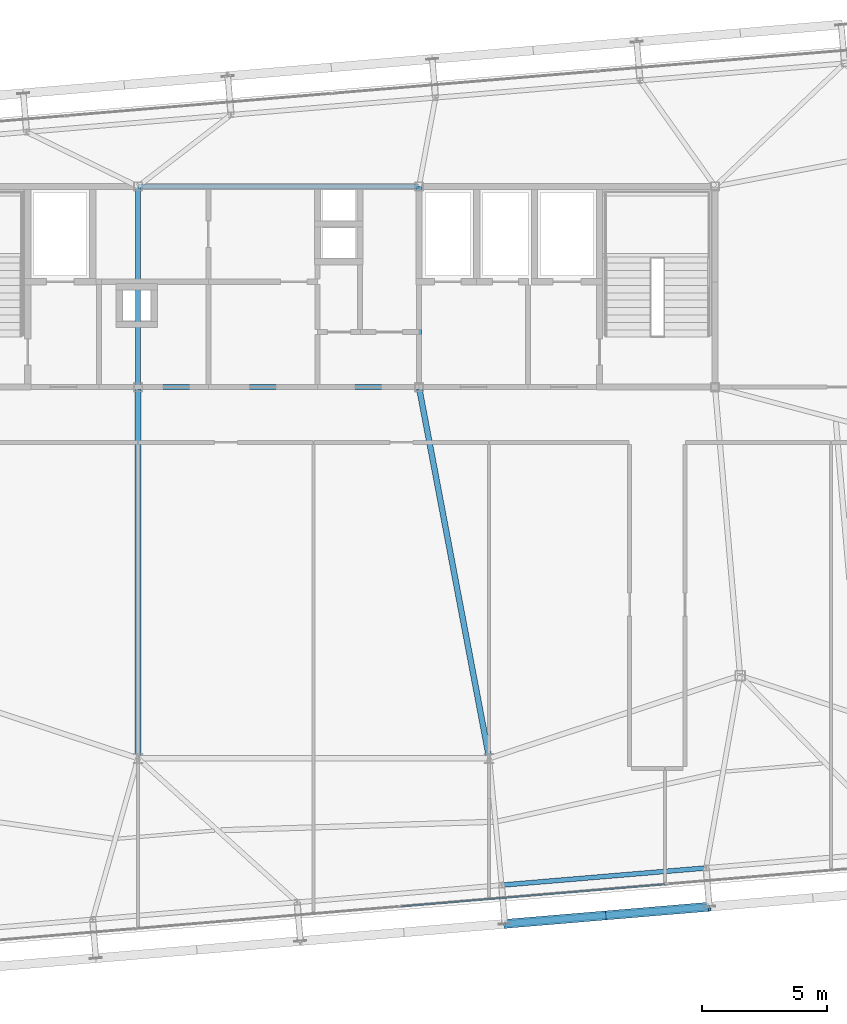
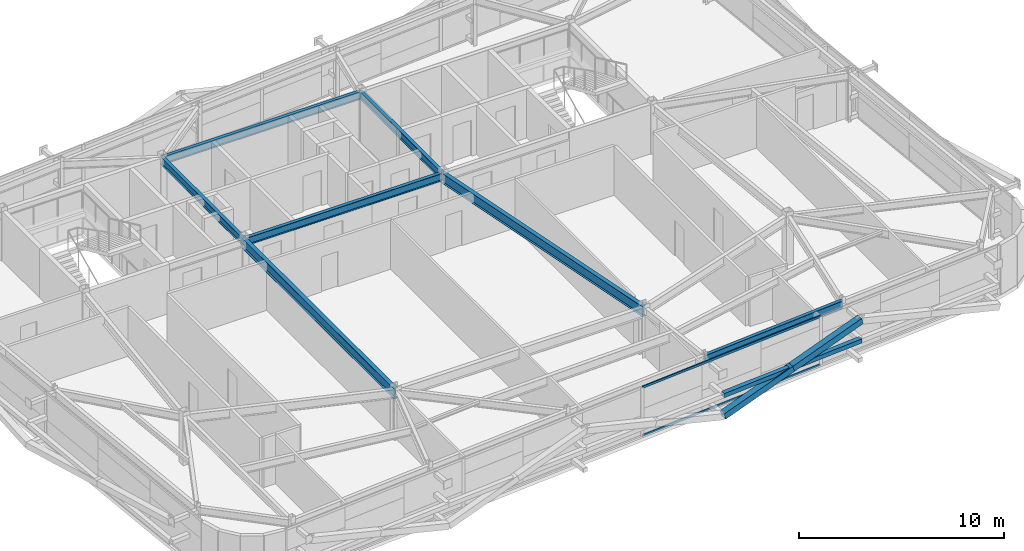
# One storey, part 15 of 37: 7 beams, 5 members, 1 element without a shape of its own.
"""IFC4 building model written with IfcOpenShell, lengths in metres."""

import ifcopenshell
import ifcopenshell.guid

model = None  # the IFC model being written
_history = None  # IfcOwnerHistory: only IFC2X3 demands one
_inside = {}  # id of a spatial element -> (the spatial element, [elements in it])
_under = {}  # id of a project, library or spatial element -> (it, [spatial elements below it])
_declared = {}  # id of a project -> (the project, [libraries it declares])
_typed = {}  # id of a type object -> (the type object, [elements of that type])
_made_of = {}  # id of a material, layer set ... -> (it, [elements and type objects made of it])


def new_model(schema):
    """Start an empty IFC model of exactly this schema.

    Asked for "IFC4X3", IfcOpenShell would pick the latest addendum, in which some entities
    have other attributes; the version numbers below select the first issue.
    IFC2X3 requires an IfcOwnerHistory on every rooted entity: one is made here for all.
    """
    global model, _history
    if schema == "IFC4X3":
        model = ifcopenshell.file(schema_version=(4, 3, 0, 0))
    else:
        model = ifcopenshell.file(schema=schema)
    _inside.clear()
    _under.clear()
    _declared.clear()
    _typed.clear()
    _made_of.clear()
    _history = None
    if model.schema == "IFC2X3":
        org = make("IfcOrganization", Name="unknown")
        user = make(
            "IfcPersonAndOrganization",
            ThePerson=make("IfcPerson", FamilyName="unknown"),
            TheOrganization=org,
        )
        app = make(
            "IfcApplication",
            ApplicationDeveloper=org,
            Version="unknown",
            ApplicationFullName="unknown",
            ApplicationIdentifier="unknown",
        )
        _history = make(
            "IfcOwnerHistory",
            OwningUser=user,
            OwningApplication=app,
            ChangeAction="ADDED",
            CreationDate=0,
        )
    return model


def make(cls, **values):
    """One entity of the class cls with the attributes given. An attribute that is None is left unset."""
    return model.create_entity(
        cls, **{name: value for name, value in values.items() if value is not None}
    )


def rooted(cls, **values):
    """An entity with a GlobalId (a new one), such as an element, a storey or a relation."""
    return make(cls, GlobalId=ifcopenshell.guid.new(), OwnerHistory=_history, **values)


def si_unit(unit_type, name, prefix=None):
    """IfcSIUnit, for example si_unit("LENGTHUNIT", "METRE", prefix="MILLI")."""
    return make("IfcSIUnit", UnitType=unit_type, Prefix=prefix, Name=name)


def assignment(units):
    """IfcUnitAssignment: the units of a project."""
    return None if units is None else make("IfcUnitAssignment", Units=units)


def point(xyz):
    """IfcCartesianPoint."""
    return None if xyz is None else make("IfcCartesianPoint", Coordinates=xyz)


def direction(xyz):
    """IfcDirection."""
    return None if xyz is None else make("IfcDirection", DirectionRatios=xyz)


def frame(location, z_axis=None, x_axis=None):
    """IfcAxis2Placement3D, a coordinate frame: its origin and axes. An axis left out is left unset."""
    return make(
        "IfcAxis2Placement3D",
        Location=point(location),
        Axis=direction(z_axis),
        RefDirection=direction(x_axis),
    )


def frame_2d(location, x_axis=None):
    """IfcAxis2Placement2D, a coordinate frame in the plane: its origin and x axis."""
    return make(
        "IfcAxis2Placement2D", Location=point(location), RefDirection=direction(x_axis)
    )


def origin():
    """The frame at (0, 0, 0) with its axes left unset."""
    return frame((0.0, 0.0, 0.0))


def origin_2d():
    """The frame at (0, 0) in the plane with its x axis left unset."""
    return frame_2d((0.0, 0.0))


def place(relative_to, where):
    """IfcLocalPlacement: puts the frame where relative to a parent placement (None: the world)."""
    return make(
        "IfcLocalPlacement", PlacementRelTo=relative_to, RelativePlacement=where
    )


def context(
    kind, dimensions, precision=None, world=None, true_north=None, identifier=None
):
    """IfcGeometricRepresentationContext, for example the 3D "Model" context."""
    return make(
        "IfcGeometricRepresentationContext",
        ContextIdentifier=identifier,
        ContextType=kind,
        CoordinateSpaceDimension=dimensions,
        Precision=precision,
        WorldCoordinateSystem=world,
        TrueNorth=true_north,
    )


def subcontext(parent, identifier, kind, view, scale=None):
    """IfcGeometricRepresentationSubContext, for example "Body" below "Model"."""
    return make(
        "IfcGeometricRepresentationSubContext",
        ContextIdentifier=identifier,
        ContextType=kind,
        ParentContext=parent,
        TargetScale=scale,
        TargetView=view,
    )


def project(units=None, contexts=None):
    """IfcProject with its units and contexts."""
    return rooted(
        "IfcProject",
        Name="project",
        RepresentationContexts=contexts,
        UnitsInContext=assignment(units),
    )


def spatial(cls, under=None, at=None, **own):
    """A site, building, storey or space (cls), placed at a placement, below another one or the project."""
    s = rooted(cls, ObjectPlacement=at, **own)
    if under is not None:
        _under.setdefault(under.id(), (under, []))[1].append(s)
    return s


def profile(cls, at=None, kind="AREA", **sizes):
    """A parametric profile (cls). Its sizes go by their IFC names, for example OverallWidth=200.0."""
    return make(cls, ProfileType=kind, Position=at, **sizes)


def hollow_rectangle(**sizes):
    """IfcRectangleHollowProfileDef."""
    return profile("IfcRectangleHollowProfileDef", **sizes)


def i_section(**sizes):
    """IfcIShapeProfileDef."""
    return profile("IfcIShapeProfileDef", **sizes)


def extrude(swept, where, along, depth):
    """IfcExtrudedAreaSolid: the profile swept, set in the frame where, extruded along a direction by depth."""
    return make(
        "IfcExtrudedAreaSolid",
        SweptArea=swept,
        Position=where,
        ExtrudedDirection=direction(along),
        Depth=depth,
    )


def shape(context_of_items, identifier, shape_type, items):
    """IfcShapeRepresentation: the items that make up one representation, for example the "Body"."""
    return make(
        "IfcShapeRepresentation",
        ContextOfItems=context_of_items,
        RepresentationIdentifier=identifier,
        RepresentationType=shape_type,
        Items=items,
    )


def source(mapping_origin, context_of_items, identifier, shape_type, items):
    """IfcRepresentationMap: a shape defined once, which mapped items show again and again."""
    return make(
        "IfcRepresentationMap",
        MappingOrigin=mapping_origin,
        MappedRepresentation=shape(context_of_items, identifier, shape_type, items),
    )


def transform(
    local_origin,
    x_axis=None,
    y_axis=None,
    z_axis=None,
    scale=None,
    scale2=None,
    scale3=None,
    uniform=True,
):
    """IfcCartesianTransformationOperator3D, or its non-uniform kind. x_axis, y_axis, z_axis: its Axis1, 2, 3."""
    if uniform:
        return make(
            "IfcCartesianTransformationOperator3D",
            Axis1=direction(x_axis),
            Axis2=direction(y_axis),
            LocalOrigin=point(local_origin),
            Scale=scale,
            Axis3=direction(z_axis),
        )
    return make(
        "IfcCartesianTransformationOperator3DnonUniform",
        Axis1=direction(x_axis),
        Axis2=direction(y_axis),
        LocalOrigin=point(local_origin),
        Scale=scale,
        Axis3=direction(z_axis),
        Scale2=scale2,
        Scale3=scale3,
    )


def mapped(mapping_source, mapping_target):
    """IfcMappedItem: shows the shape of a source again, moved by a transform."""
    return make(
        "IfcMappedItem", MappingSource=mapping_source, MappingTarget=mapping_target
    )


def material(Name=None, Category=None):
    """IfcMaterial."""
    return make("IfcMaterial", Name=Name, Category=Category)


def layer(
    of_material, thickness, ventilated=None, Name=None, Category=None, Priority=None
):
    """IfcMaterialLayer: one layer of a wall or slab, of a material (None: an air gap)."""
    return make(
        "IfcMaterialLayer",
        Material=of_material,
        LayerThickness=thickness,
        IsVentilated=ventilated,
        Name=Name,
        Category=Category,
        Priority=Priority,
    )


def layer_set(layers, Name=None):
    """IfcMaterialLayerSet."""
    return make("IfcMaterialLayerSet", MaterialLayers=layers, LayerSetName=Name)


def material_profile(
    of_material, cross_section, Name=None, Category=None, Priority=None
):
    """IfcMaterialProfile: a cross section and its material."""
    return make(
        "IfcMaterialProfile",
        Name=Name,
        Material=of_material,
        Profile=cross_section,
        Priority=Priority,
        Category=Category,
    )


def profile_set(profiles, Name=None, composite=None):
    """IfcMaterialProfileSet."""
    return make(
        "IfcMaterialProfileSet",
        Name=Name,
        MaterialProfiles=profiles,
        CompositeProfile=composite,
    )


def made_of(thing, what):
    """Note that an element or type object is made of a material, layer set ...; save() writes the relation."""
    if what is not None:
        _made_of.setdefault(what.id(), (what, []))[1].append(thing)
    return thing


def type_object(cls, material=None, **own):
    """A type object (cls), such as IfcWallType, which elements share."""
    return made_of(rooted(cls, **own), material)


def element(
    cls,
    number,
    at=None,
    inside=None,
    cuts=None,
    type_object=None,
    material=None,
    context=None,
    identifier="Body",
    shape_type=None,
    held_by="IfcProductDefinitionShape",
    body=None,
    shapes=None,
    **own,
):
    """One element of the class cls, such as IfcWall. Its Tag is "e" and its number.

    at: its placement. inside: the storey or other place that contains it. cuts: it is an
    opening in that element (IfcRelVoidsElement). A single representation is given by context,
    identifier, shape_type and body (its items); several are given by shapes. held_by: the class
    of the entity that holds the representations. save() writes the other relations.
    """
    e = rooted(cls, Tag="e%d" % number, ObjectPlacement=at, **own)
    if body is not None:
        shapes = [shape(context, identifier, shape_type, body)]
    if shapes is not None:
        e.Representation = make(held_by, Representations=shapes)
    if inside is not None:
        _inside.setdefault(inside.id(), (inside, []))[1].append(e)
    if cuts is not None:
        rooted(
            "IfcRelVoidsElement", RelatingBuildingElement=cuts, RelatedOpeningElement=e
        )
    if type_object is not None:
        _typed.setdefault(type_object.id(), (type_object, []))[1].append(e)
    return made_of(e, material)


def aggregate(whole, parts):
    """IfcRelAggregates: a whole, such as a stair, and the parts it consists of."""
    return rooted("IfcRelAggregates", RelatingObject=whole, RelatedObjects=parts)


def save(model, path):
    """Write the relations noted so far, then the file.

    IfcRelAggregates (storeys below a building ...), IfcRelContainedInSpatialStructure (elements
    in a storey), IfcRelDefinesByType, IfcRelAssociatesMaterial and IfcRelDeclares: one each for
    every whole, place, type object, material and project.
    """
    for whole, parts in _under.values():
        aggregate(whole, parts)
    for where, things in _inside.values():
        rooted(
            "IfcRelContainedInSpatialStructure",
            RelatedElements=things,
            RelatingStructure=where,
        )
    for kind, things in _typed.values():
        rooted("IfcRelDefinesByType", RelatedObjects=things, RelatingType=kind)
    for what, things in _made_of.values():
        rooted("IfcRelAssociatesMaterial", RelatedObjects=things, RelatingMaterial=what)
    for by, libraries in _declared.values():
        rooted("IfcRelDeclares", RelatingContext=by, RelatedDefinitions=libraries)
    model.write(path)


model = new_model("IFC4")

# Units and contexts
model_context = context("Model", 3, precision=1e-05, world=origin(), true_north=direction((0.0, 1.0)))
body_context = subcontext(model_context, "Body", "Model", "MODEL_VIEW")
ifc_project = project(units=[si_unit("LENGTHUNIT", "METRE"), si_unit("AREAUNIT", "SQUARE_METRE"), si_unit("VOLUMEUNIT", "CUBIC_METRE"), si_unit("PLANEANGLEUNIT", "RADIAN"), si_unit("MASSUNIT", "GRAM", prefix="KILO")], contexts=[model_context])

# Site, building, storey
site_placement = place(None, origin())
site = spatial("IfcSite", under=ifc_project, at=site_placement, CompositionType="ELEMENT")
building_placement = place(site_placement, origin())
building = spatial("IfcBuilding", under=site, at=building_placement, Name="Taldren Reach Tower", CompositionType="ELEMENT")
storey_placement = place(building_placement, frame((0.0, 0.0, 182.0)))
storey = spatial("IfcBuildingStorey", under=building, at=storey_placement, Name="L55", CompositionType="ELEMENT", Elevation=182.0)

# Beams
ifc_material_1 = material(Name="Steel Gr 350 (350PLUS)", Category="steel")
ifc_material_profile_1 = material_profile(ifc_material_1, i_section(OverallWidth=0.19091796875, OverallDepth=0.4599609375, WebThickness=0.010009765625, FlangeThickness=0.01611328125, at=origin_2d()), Name="460UB82.1")
ifc_profile_set_1 = profile_set([ifc_material_profile_1], Name="Steel Gr 350 (350PLUS)")
beam_type_1 = type_object("IfcBeamType", Name="BM-UB460A", PredefinedType="BEAM", material=ifc_profile_set_1)
shared_shape_1 = source(origin(), body_context, "Body", "SweptSolid", [
    extrude(i_section(OverallWidth=0.19091796875, OverallDepth=0.4599609375, WebThickness=0.010009765625, FlangeThickness=0.01611328125, at=origin_2d()), origin(), (0.0, 0.0, 1.0), 11.199951171875),
])
for number, where, z_axis, x_axis, name in (
    (1, (28.0, 24.0, 2.699951171875), (1.0, 0.0, 0.0), (0.0, 1.0, 0.0), "Core-spine girder L55-SP02"),
    (2, (28.0, 32.0, 2.699951171875), (1.0, 0.0, 0.0), (0.0, 1.0, 0.0), "Core-spine girder L55-SP05"),
):
    element("IfcBeam", number, at=place(storey_placement, frame(where, z_axis=z_axis, x_axis=x_axis)), inside=storey, type_object=beam_type_1, Name=name, PredefinedType="BEAM", context=body_context, shape_type="MappedRepresentation", body=[
        mapped(shared_shape_1, transform((0.0, 0.0, 0.0), scale=1.0)),
    ])
shared_shape_2 = source(origin(), body_context, "Body", "SweptSolid", [
    extrude(i_section(OverallWidth=0.19091796875, OverallDepth=0.4599609375, WebThickness=0.010009765625, FlangeThickness=0.01611328125, at=origin_2d()), origin(), (0.0, 0.0, 1.0), 8.0),
])
for number, where, z_axis, x_axis, name in (
    (3, (28.0, 24.0, 2.699951171875), (0.0, 1.0, 0.0), (-1.0, 0.0, 0.0), "Core-spine girder L55-SP07"),
    (4, (39.199951171875, 24.0, 2.699951171875), (0.0, 1.0, 0.0), (-1.0, 0.0, 0.0), "Core-spine girder L55-SP08"),
):
    element("IfcBeam", number, at=place(storey_placement, frame(where, z_axis=z_axis, x_axis=x_axis)), inside=storey, type_object=beam_type_1, Name=name, PredefinedType="BEAM", context=body_context, shape_type="MappedRepresentation", body=[
        mapped(shared_shape_2, transform((0.0, 0.0, 0.0), scale=1.0)),
    ])
ifc_material_profile_2 = material_profile(ifc_material_1, i_section(OverallWidth=0.22802734375, OverallDepth=0.60205078125, WebThickness=0.010498046875, FlangeThickness=0.014892578125, at=origin_2d()), Name="610UB101")
ifc_profile_set_2 = profile_set([ifc_material_profile_2], Name="Steel Gr 350 (350PLUS)")
beam_type_2 = type_object("IfcBeamType", Name="BM-UB610B", PredefinedType="BEAM", material=ifc_profile_set_2)
shared_shape_3 = source(origin(), body_context, "Body", "SweptSolid", [
    extrude(i_section(OverallWidth=0.22802734375, OverallDepth=0.60205078125, WebThickness=0.010498046875, FlangeThickness=0.014892578125, at=origin_2d()), origin(), (0.0, 0.0, 1.0), 14.800048828125),
])
beam_1_placement = place(storey_placement, frame((28.0, 24.0, 2.62890625), z_axis=(0.0, -1.0, 0.0), x_axis=(1.0, 0.0, 0.0)))
element("IfcBeam", 5, at=beam_1_placement, inside=storey, type_object=beam_type_2, Name="Core-spine girder L55-SP14", PredefinedType="BEAM", context=body_context, shape_type="MappedRepresentation", body=[
    mapped(shared_shape_3, transform((0.0, 0.0, 0.0), scale=1.0)),
])
shared_shape_4 = source(origin(), body_context, "Body", "SweptSolid", [
    extrude(i_section(OverallWidth=0.22802734375, OverallDepth=0.60205078125, WebThickness=0.010498046875, FlangeThickness=0.014892578125, at=origin_2d()), origin(), (0.0, 0.0, 1.0), 15.0625),
])
beam_2_placement = place(storey_placement, frame((39.199951171875, 24.0, 2.62890625), z_axis=(0.185894205668, -0.982569765614, 0.0), x_axis=(0.982569765614, 0.185894205668, 0.0)))
element("IfcBeam", 6, at=beam_2_placement, inside=storey, type_object=beam_type_2, Name="Core-spine girder L55-SP15", PredefinedType="BEAM", context=body_context, shape_type="MappedRepresentation", body=[
    mapped(shared_shape_4, transform((0.0, 0.0, 0.0), scale=1.0)),
])
ifc_material_profile_3 = material_profile(ifc_material_1, i_section(OverallWidth=0.18994140625, OverallDepth=0.4541015625, WebThickness=0.008544921875, FlangeThickness=0.0126953125, at=origin_2d()), Name="460UB67.1")
ifc_profile_set_3 = profile_set([ifc_material_profile_3], Name="Steel Gr 350 (350PLUS)")
beam_type_3 = type_object("IfcBeamType", Name="SP-UB460B", PredefinedType="SPANDREL", material=ifc_profile_set_3)
shared_shape_5 = source(origin(), body_context, "Body", "SweptSolid", [
    extrude(i_section(OverallWidth=0.18994140625, OverallDepth=0.4541015625, WebThickness=0.008544921875, FlangeThickness=0.0126953125, at=origin_2d()), origin(), (0.0, 0.0, 1.0), 8.179931640625),
])
beam_3_placement = place(storey_placement, frame((42.49365234375, 4.1474609375, 2.702880859375), z_axis=(0.99649182565, 0.08369015123, 0.0), x_axis=(-0.08369015123, 0.99649182565, 0.0)))
element("IfcBeam", 7, at=beam_3_placement, inside=storey, type_object=beam_type_3, Name="Perimeter spandrel B4 S4-S5 L55", PredefinedType="SPANDREL", context=body_context, shape_type="MappedRepresentation", body=[
    mapped(shared_shape_5, transform((0.0, 0.0, 0.0), scale=1.0)),
])

# Members
ifc_material_2 = material(Name="Steel Gr 350 (C350L0)", Category="steel")
ifc_material_profile_4 = material_profile(ifc_material_2, hollow_rectangle(XDim=0.25, YDim=0.25, WallThickness=0.010009765625, at=origin_2d()), Name="250x250x10.0SHS")
ifc_profile_set_4 = profile_set([ifc_material_profile_4], Name="Steel Gr 350 (C350L0)")
member_type_1 = type_object("IfcMemberType", Name="MB-POST250", PredefinedType="POST", material=ifc_profile_set_4)
shared_shape_6 = source(origin(), body_context, "Body", "SweptSolid", [
    extrude(hollow_rectangle(XDim=0.25, YDim=0.25, WallThickness=0.010009765625, at=origin_2d()), origin(), (0.0, 0.0, 1.0), 8.179931640625),
])
member_1_placement = place(storey_placement, frame((42.623291015625, 2.60302734375, 1.43505859375), z_axis=(0.996494523218, 0.083658025296, 0.0), x_axis=(-0.083658025296, 0.996494523218, 0.0)))
element("IfcMember", 8, at=member_1_placement, inside=storey, type_object=member_type_1, Name="Exoskeleton mid-height ring chord B4-S4 L55", PredefinedType="POST", context=body_context, shape_type="MappedRepresentation", body=[
    mapped(shared_shape_6, transform((0.0, 0.0, 0.0), scale=1.0)),
])
ifc_material_3 = material(Name="Steel Gr 450 (C450L0)", Category="steel")
ifc_material_profile_5 = material_profile(ifc_material_3, hollow_rectangle(XDim=0.360107421875, YDim=0.360107421875, WallThickness=0.0126953125, at=origin_2d()), Name="360x360x12.7SHS")
ifc_profile_set_5 = profile_set([ifc_material_profile_5], Name="Steel Gr 450 (C450L0)")
member_type_2 = type_object("IfcMemberType", Name="MB-EXO356", PredefinedType="BRACE", material=ifc_profile_set_5)
shared_shape_7 = source(origin(), body_context, "Body", "SweptSolid", [
    extrude(hollow_rectangle(XDim=0.360107421875, YDim=0.360107421875, WallThickness=0.0126953125, at=origin_2d()), origin(), (0.0, 0.0, 1.0), 4.2666015625),
])
for number, where, z_axis, x_axis, name in (
    (9, (42.623291015625, 2.60302734375, 0.219970703125), (0.955233542365, 0.080165460216, 0.28478479336), (-0.083628388178, 0.996497010879, 0.0), "Exoskeleton Diagrid Brace B4-S4 L55"),
    (10, (46.698974609375, 2.945068359375, 1.43505859375), (0.955244723646, 0.080223619417, 0.284730906006), (-0.083687662192, 0.996492034688, 0.0), "Exoskeleton Diagrid Brace B4-S4 L55"),
):
    element("IfcMember", number, at=place(storey_placement, frame(where, z_axis=z_axis, x_axis=x_axis)), inside=storey, type_object=member_type_2, Name=name, PredefinedType="BRACE", context=body_context, shape_type="MappedRepresentation", body=[
        mapped(shared_shape_7, transform((0.0, 0.0, 0.0), scale=1.0)),
    ])

# Curtain wall, members
ifc_material_4 = material(Name="Aluminium and Low-E Glass Unitised System", Category="aluminium")
ifc_layer = layer(ifc_material_4, 0.159912109375)
ifc_layer_set = layer_set([ifc_layer], Name="Aluminium and Low-E Glass Unitised System")
curtain_wall_type = type_object("IfcCurtainWallType", Name="CW-SYS-5", PredefinedType="NOTDEFINED", material=ifc_layer_set)
curtain_wall_placement = place(storey_placement, origin())
curtain_wall = element("IfcCurtainWall", 11, at=curtain_wall_placement, inside=storey, type_object=curtain_wall_type, Name="Unitised curtain wall CW-L55-S", PredefinedType="NOTDEFINED")
ifc_material_5 = material(Name="Anodised Aluminium 6063-T6", Category="aluminium")
ifc_material_profile_6 = material_profile(ifc_material_5, hollow_rectangle(XDim=0.06005859375, YDim=0.135009765625, WallThickness=0.00341796875, at=origin_2d()), Name="ALU-135x60x3.5RHS")
ifc_profile_set_6 = profile_set([ifc_material_profile_6], Name="Anodised Aluminium 6063-T6")
member_type_3 = type_object("IfcMemberType", Name="CW-TRN-150", PredefinedType="USERDEFINED", material=ifc_profile_set_6)
shared_shape_8 = source(origin(), body_context, "Body", "SweptSolid", [
    extrude(hollow_rectangle(XDim=0.06005859375, YDim=0.135009765625, WallThickness=0.00341796875, at=origin_2d()), origin(), (0.0, 0.0, 1.0), 10.55517578125),
])
member_2_placement = place(storey_placement, frame((38.495361328125, 3.300048828125, 0.030029296875), z_axis=(0.996494202684, 0.083661843255, 0.0), x_axis=(-0.083661843255, 0.996494202684, 0.0)))
member_2 = element("IfcMember", 12, at=member_2_placement, type_object=member_type_3, Name="CW-5 transom 3.1", ObjectType="TRANSOM", PredefinedType="USERDEFINED", context=body_context, shape_type="MappedRepresentation", body=[
    mapped(shared_shape_8, transform((0.0, 0.0, 0.0), scale=1.0)),
])
member_3_placement = place(storey_placement, frame((38.495361328125, 3.300048828125, 2.89990234375), z_axis=(0.996494202684, 0.083661843255, 0.0), x_axis=(-0.083661843255, 0.996494202684, 0.0)))
member_3 = element("IfcMember", 13, at=member_3_placement, type_object=member_type_3, Name="CW-5 transom 3.2", ObjectType="TRANSOM", PredefinedType="USERDEFINED", context=body_context, shape_type="MappedRepresentation", body=[
    mapped(shared_shape_8, transform((0.0, 0.0, 0.0), scale=1.0)),
])
aggregate(curtain_wall, [member_2, member_3])

save(model, "model.ifc")
